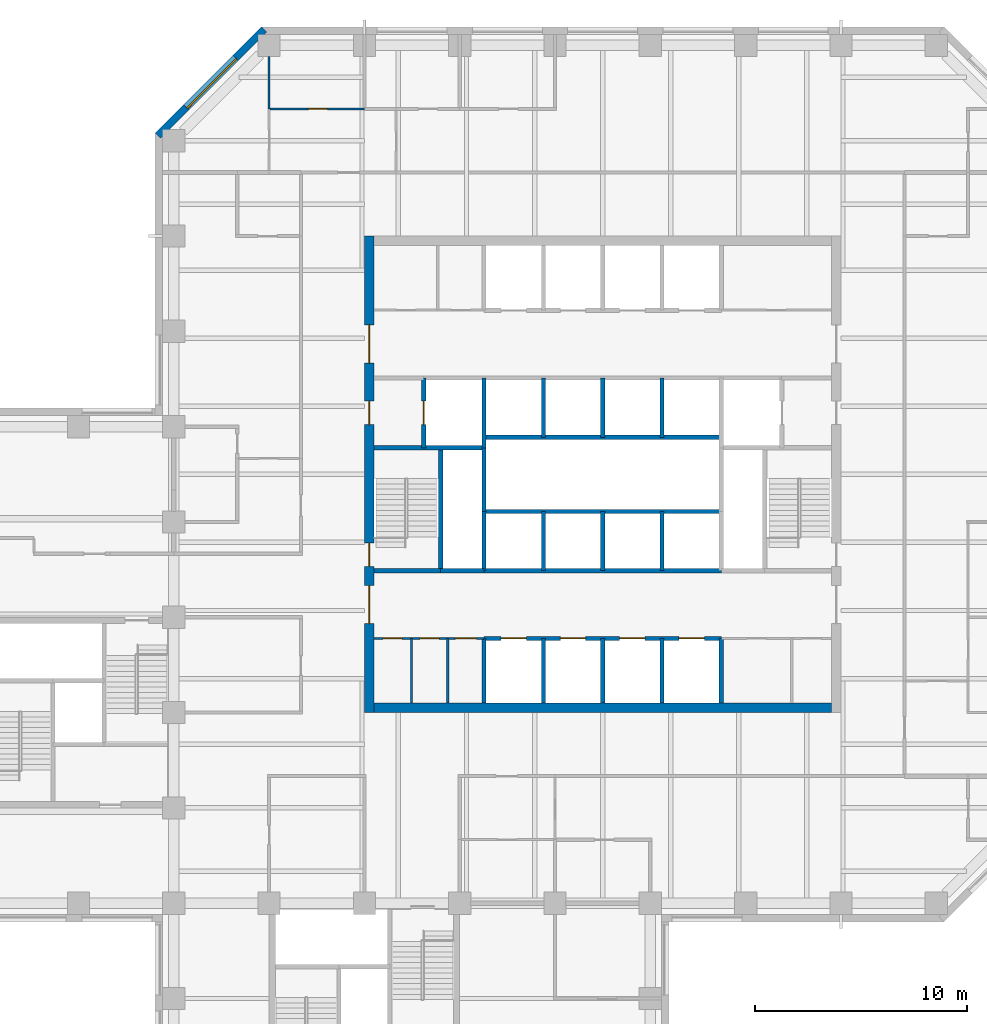
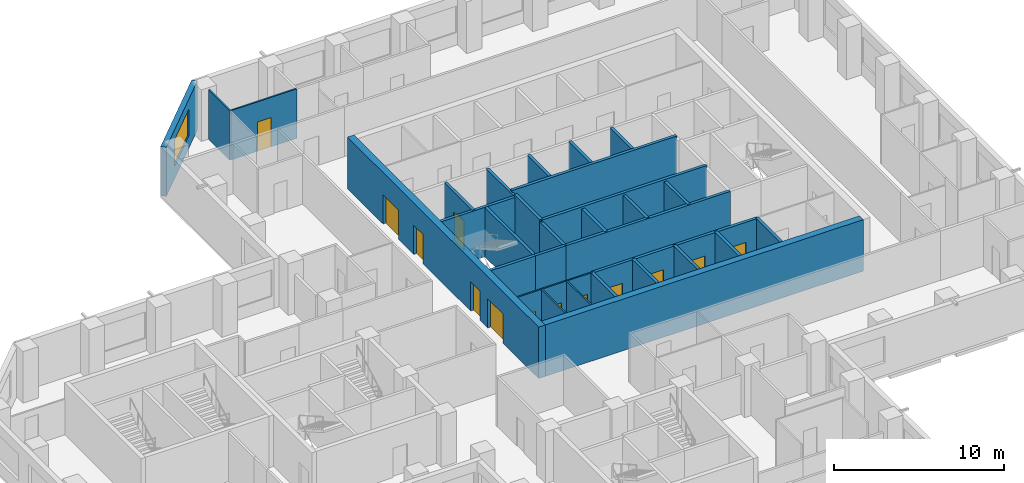
# One storey, part 7 of 11: 31 walls, 13 doors, 1 window, 14 openings.
"""IFC4 building model written with IfcOpenShell, lengths in metres."""

from ifc_helpers import new_model, si_unit, direction, frame, frame_2d, origin, place, context, subcontext, project, spatial, rectangle, extrude, material, layer, layer_set, constituent, constituent_set, type_object, element, fill, save


model = new_model("IFC4")

# Units and contexts
model_context = context("Model", 3, precision=1e-05, world=origin(), true_north=direction((0.0, 1.0)))
body_context = subcontext(model_context, "Body", "Model", "MODEL_VIEW")
ifc_project = project(units=[si_unit("LENGTHUNIT", "METRE"), si_unit("AREAUNIT", "SQUARE_METRE"), si_unit("VOLUMEUNIT", "CUBIC_METRE"), si_unit("PLANEANGLEUNIT", "RADIAN"), si_unit("MASSUNIT", "GRAM", prefix="KILO")], contexts=[model_context])

# Site, building, storey
site_placement = place(None, origin())
site = spatial("IfcSite", under=ifc_project, at=site_placement, CompositionType="ELEMENT")
building_placement = place(site_placement, origin())
building = spatial("IfcBuilding", under=site, at=building_placement, Name="Quoin Convention Tower", CompositionType="ELEMENT")
storey_placement = place(building_placement, frame((0.0, 0.0, 78.89990234375)))
storey = spatial("IfcBuildingStorey", under=building, at=storey_placement, Name="L20", CompositionType="ELEMENT", Elevation=78.89990234375)

# Wall, opening, window
ifc_material_1 = material(Name="Brick masonry", Category="masonry")
ifc_layer_1 = layer(ifc_material_1, 0.35009765625)
ifc_layer_set_1 = layer_set([ifc_layer_1], Name="Brick masonry")
wall_type_1 = type_object("IfcWallType", Name="Brick facade wall", PredefinedType="STANDARD", material=ifc_layer_set_1)
wall_1_placement = place(storey_placement, frame((40.26123046875, 81.751220703125, 0.0), z_axis=(0.0, 0.0, 1.0), x_axis=(-0.707106781187, -0.707106781187, 0.0)))
wall_1 = element("IfcWall", 1, at=wall_1_placement, inside=storey, type_object=wall_type_1, Name="fw-L20-40500_81000", PredefinedType="STANDARD", context=body_context, shape_type="SweptSolid", body=[
    extrude(rectangle(XDim=7.088623046875, YDim=0.35009765625, at=frame_2d((3.54443359375, 0.0))), origin(), (0.0, 0.0, 1.0), 3.525146484375),
])
opening_1_placement = place(wall_1_placement, frame((1.894287109375, 0.0, 0.89990234375)))
opening_1 = element("IfcOpeningElement", 2, at=opening_1_placement, cuts=wall_1, Name="Opening W-02", PredefinedType="OPENING", context=body_context, shape_type="SweptSolid", body=[
    extrude(rectangle(XDim=3.300048828125, YDim=1.89990234375, at=frame_2d((1.64990234375, 0.949951171875))), frame((0.0, 0.18505859375, 0.0), z_axis=(0.0, -1.0, 0.0), x_axis=(1.0, 0.0, 0.0)), (0.0, 0.0, 1.0), 0.3701171875),
])
ifc_material_2 = material(Name="Aluminium", Category="aluminium")
ifc_constituent_1 = constituent(ifc_material_2, Name="Frame")
ifc_material_3 = material(Name="Insulated glass", Category="glass")
ifc_constituent_2 = constituent(ifc_material_3, Name="Glazing")
ifc_constituent_set = constituent_set(constituents=[ifc_constituent_1, ifc_constituent_2], Name="Aluminium")
window_type = type_object("IfcWindowType", Name="Office window", PartitioningType="DOUBLE_PANEL_VERTICAL", PredefinedType="WINDOW", material=ifc_constituent_set)
window_placement = place(opening_1_placement, origin())
window = element("IfcWindow", 3, at=window_placement, inside=storey, type_object=window_type, Name="win-L20-37755_79245", OverallHeight=1.89990234375, OverallWidth=3.300048828125, PartitioningType="SINGLE_PANEL", PredefinedType="WINDOW", context=body_context, shape_type="SweptSolid", body=[
    extrude(rectangle(XDim=3.300048828125, YDim=1.89990234375, at=frame_2d((1.64990234375, 0.949951171875))), frame((0.0, 0.0849609375, 0.0), z_axis=(0.0, -1.0, 0.0), x_axis=(1.0, 0.0, 0.0)), (0.0, 0.0, 1.0), 0.06005859375),
])
fill(opening_1, window)

# Wall, openings, doors
ifc_material_4 = material(Name="Plasterboard")
ifc_layer_2 = layer(ifc_material_4, 0.012451171875, Name="Finish")
ifc_material_5 = material(Name="Steel stud framing", Category="steel")
ifc_layer_3 = layer(ifc_material_5, 0.074951171875, Name="Structure")
ifc_layer_4 = layer(ifc_material_4, 0.012451171875, Name="Finish")
ifc_layer_set_2 = layer_set([ifc_layer_2, ifc_layer_3, ifc_layer_4], Name="Steel stud framing")
wall_type_2 = type_object("IfcWallType", Name="Core partition wall", PredefinedType="PARTITIONING", material=ifc_layer_set_2)
wall_2_placement = place(storey_placement, frame((45.449951171875, 53.0, 0.0), z_axis=(0.0, 0.0, 1.0), x_axis=(1.0, 0.0, 0.0)))
wall_2 = element("IfcWall", 4, at=wall_2_placement, inside=storey, type_object=wall_type_2, Name="cr-C1-L20-h3500_450", PredefinedType="PARTITIONING", context=body_context, shape_type="SweptSolid", body=[
    extrude(rectangle(XDim=5.199951171875, YDim=0.10009765625, at=frame_2d((2.60009765625, 0.0))), origin(), (0.0, 0.0, 1.0), 3.550048828125),
])
opening_2_placement = place(wall_2_placement, frame((0.43408203125, 0.0, 0.0)))
opening_2 = element("IfcOpeningElement", 5, at=opening_2_placement, cuts=wall_2, Name="Opening DCV1-37", PredefinedType="OPENING", context=body_context, shape_type="SweptSolid", body=[
    extrude(rectangle(XDim=0.89990234375, YDim=2.10009765625, at=frame_2d((0.449951171875, 1.050048828125))), frame((0.0, 0.06005859375, 0.0), z_axis=(0.0, -1.0, 0.0), x_axis=(1.0, 0.0, 0.0)), (0.0, 0.0, 1.0), 0.1201171875),
])
opening_3_placement = place(wall_2_placement, frame((2.176025390625, 0.0, 0.0)))
opening_3 = element("IfcOpeningElement", 6, at=opening_3_placement, cuts=wall_2, Name="Opening DCV1-38", PredefinedType="OPENING", context=body_context, shape_type="SweptSolid", body=[
    extrude(rectangle(XDim=0.89990234375, YDim=2.10009765625, at=frame_2d((0.449951171875, 1.050048828125))), frame((0.0, 0.06005859375, 0.0), z_axis=(0.0, -1.0, 0.0), x_axis=(1.0, 0.0, 0.0)), (0.0, 0.0, 1.0), 0.1201171875),
])
opening_4_placement = place(wall_2_placement, frame((3.842041015625, 0.0, 0.0)))
opening_4 = element("IfcOpeningElement", 7, at=opening_4_placement, cuts=wall_2, Name="Opening DCV1-39", PredefinedType="OPENING", context=body_context, shape_type="SweptSolid", body=[
    extrude(rectangle(XDim=1.0, YDim=2.10009765625, at=frame_2d((0.5, 1.050048828125))), frame((0.0, 0.06005859375, 0.0), z_axis=(0.0, -1.0, 0.0), x_axis=(1.0, 0.0, 0.0)), (0.0, 0.0, 1.0), 0.1201171875),
])
ifc_material_6 = material(Name="Steel door leaf", Category="steel")
door_type_1 = type_object("IfcDoorType", Name="Core room door 1000 x 2100", OperationType="SINGLE_SWING_LEFT", PredefinedType="DOOR", material=ifc_material_6)
door_1_placement = place(opening_4_placement, frame((1.0, 0.0, 0.0), z_axis=(0.0, 0.0, 1.0), x_axis=(-1.0, 0.0, 0.0)))
door_1 = element("IfcDoor", 8, at=door_1_placement, inside=storey, type_object=door_type_1, Name="cd-C1-L20-CSW2-lobA-CD2014", OperationType="SINGLE_SWING_LEFT", OverallHeight=2.10009765625, OverallWidth=1.0, PredefinedType="DOOR", context=body_context, shape_type="SweptSolid", body=[
    extrude(rectangle(XDim=1.0, YDim=2.10009765625, at=frame_2d((0.5, 1.050048828125))), frame((0.0, 0.02490234375, 0.0), z_axis=(0.0, -1.0, 0.0), x_axis=(1.0, 0.0, 0.0)), (0.0, 0.0, 1.0), 0.050048828125),
])
fill(opening_4, door_1)
door_type_2 = type_object("IfcDoorType", Name="Core room door 900 x 2100", OperationType="SINGLE_SWING_LEFT", PredefinedType="DOOR", material=ifc_material_6)
door_2_placement = place(opening_2_placement, frame((0.89990234375, 0.0, 0.0), z_axis=(0.0, 0.0, 1.0), x_axis=(-1.0, 0.0, 0.0)))
door_2 = element("IfcDoor", 9, at=door_2_placement, inside=storey, type_object=door_type_2, Name="cd-C1-L20-CSW0-lobA-CD2012", OperationType="SINGLE_SWING_LEFT", OverallHeight=2.10009765625, OverallWidth=0.89990234375, PredefinedType="DOOR", context=body_context, shape_type="SweptSolid", body=[
    extrude(rectangle(XDim=0.89990234375, YDim=2.10009765625, at=frame_2d((0.449951171875, 1.050048828125))), frame((0.0, 0.02490234375, 0.0), z_axis=(0.0, -1.0, 0.0), x_axis=(1.0, 0.0, 0.0)), (0.0, 0.0, 1.0), 0.050048828125),
])
fill(opening_2, door_2)
door_3_placement = place(opening_3_placement, frame((0.89990234375, 0.0, 0.0), z_axis=(0.0, 0.0, 1.0), x_axis=(-1.0, 0.0, 0.0)))
door_3 = element("IfcDoor", 10, at=door_3_placement, inside=storey, type_object=door_type_2, Name="cd-C1-L20-CSW1-lobA-CD2013", OperationType="SINGLE_SWING_LEFT", OverallHeight=2.10009765625, OverallWidth=0.89990234375, PredefinedType="DOOR", context=body_context, shape_type="SweptSolid", body=[
    extrude(rectangle(XDim=0.89990234375, YDim=2.10009765625, at=frame_2d((0.449951171875, 1.050048828125))), frame((0.0, 0.02490234375, 0.0), z_axis=(0.0, -1.0, 0.0), x_axis=(1.0, 0.0, 0.0)), (0.0, 0.0, 1.0), 0.050048828125),
])
fill(opening_3, door_3)

# Walls
for number, where, z_axis, x_axis, name in (
    (11, (47.218017578125, 49.949951171875, 0.0), (0.0, 0.0, 1.0), (0.0, 1.0, 0.0), "cr-C1-L20-v2218_450"),
    (12, (48.93408203125, 49.949951171875, 0.0), (0.0, 0.0, 1.0), (0.0, 1.0, 0.0), "cr-C1-L20-v3934_450"),
):
    element("IfcWall", number, at=place(storey_placement, frame(where, z_axis=z_axis, x_axis=x_axis)), inside=storey, type_object=wall_type_2, Name=name, PredefinedType="PARTITIONING", context=body_context, shape_type="SweptSolid", body=[
        extrude(rectangle(XDim=3.050048828125, YDim=0.10009765625, at=frame_2d((1.52490234375, 0.0))), origin(), (0.0, 0.0, 1.0), 3.550048828125),
    ])

# Wall, openings, doors
ifc_material_7 = material(Name="Concrete C50", Category="concrete")
ifc_layer_5 = layer(ifc_material_7, 0.199951171875)
ifc_layer_set_3 = layer_set([ifc_layer_5], Name="Concrete C50")
wall_type_3 = type_object("IfcWallType", Name="Core shaft wall", PredefinedType="SOLIDWALL", material=ifc_layer_set_3)
wall_3_placement = place(storey_placement, frame((50.64990234375, 53.0, 0.0), z_axis=(0.0, 0.0, 1.0), x_axis=(1.0, 0.0, 0.0)))
wall_3 = element("IfcWall", 13, at=wall_3_placement, inside=storey, type_object=wall_type_3, Name="cr-C1-L20-h3500_5650", PredefinedType="SOLIDWALL", context=body_context, shape_type="SweptSolid", body=[
    extrude(rectangle(XDim=11.2001953125, YDim=0.199951171875, at=frame_2d((5.60009765625, 0.0))), origin(), (0.0, 0.0, 1.0), 3.550048828125),
])
opening_5_placement = place(wall_3_placement, frame((0.800048828125, 0.0, 0.0)))
opening_5 = element("IfcOpeningElement", 14, at=opening_5_placement, cuts=wall_3, Name="Opening LDL1", PredefinedType="OPENING", context=body_context, shape_type="SweptSolid", body=[
    extrude(rectangle(XDim=1.199951171875, YDim=2.10009765625, at=frame_2d((0.60009765625, 1.050048828125))), frame((0.0, 0.10986328125, 0.0), z_axis=(0.0, -1.0, 0.0), x_axis=(1.0, 0.0, 0.0)), (0.0, 0.0, 1.0), 0.219970703125),
])
opening_6_placement = place(wall_3_placement, frame((3.60009765625, 0.0, 0.0)))
opening_6 = element("IfcOpeningElement", 15, at=opening_6_placement, cuts=wall_3, Name="Opening LDL2", PredefinedType="OPENING", context=body_context, shape_type="SweptSolid", body=[
    extrude(rectangle(XDim=1.199951171875, YDim=2.10009765625, at=frame_2d((0.60009765625, 1.050048828125))), frame((0.0, 0.10986328125, 0.0), z_axis=(0.0, -1.0, 0.0), x_axis=(1.0, 0.0, 0.0)), (0.0, 0.0, 1.0), 0.219970703125),
])
opening_7_placement = place(wall_3_placement, frame((6.39990234375, 0.0, 0.0)))
opening_7 = element("IfcOpeningElement", 16, at=opening_7_placement, cuts=wall_3, Name="Opening LDL3", PredefinedType="OPENING", context=body_context, shape_type="SweptSolid", body=[
    extrude(rectangle(XDim=1.199951171875, YDim=2.10009765625, at=frame_2d((0.60009765625, 1.050048828125))), frame((0.0, 0.10986328125, 0.0), z_axis=(0.0, -1.0, 0.0), x_axis=(1.0, 0.0, 0.0)), (0.0, 0.0, 1.0), 0.219970703125),
])
opening_8_placement = place(wall_3_placement, frame((9.199951171875, 0.0, 0.0)))
opening_8 = element("IfcOpeningElement", 17, at=opening_8_placement, cuts=wall_3, Name="Opening LDL4", PredefinedType="OPENING", context=body_context, shape_type="SweptSolid", body=[
    extrude(rectangle(XDim=1.199951171875, YDim=2.10009765625, at=frame_2d((0.60009765625, 1.050048828125))), frame((0.0, 0.10986328125, 0.0), z_axis=(0.0, -1.0, 0.0), x_axis=(1.0, 0.0, 0.0)), (0.0, 0.0, 1.0), 0.219970703125),
])
door_type_3 = type_object("IfcDoorType", Name="Lift landing door 1200 x 2100", OperationType="DOUBLE_DOOR_SLIDING", PredefinedType="DOOR", material=ifc_material_6)
door_4_placement = place(opening_5_placement, origin())
door_4 = element("IfcDoor", 18, at=door_4_placement, inside=storey, type_object=door_type_3, Name="cd-C1-L20-R10-lobA-LDL1", OperationType="DOUBLE_DOOR_SLIDING", OverallHeight=2.10009765625, OverallWidth=1.199951171875, PredefinedType="DOOR", context=body_context, shape_type="SweptSolid", body=[
    extrude(rectangle(XDim=1.199951171875, YDim=2.10009765625, at=frame_2d((0.60009765625, 1.050048828125))), frame((0.0, 0.02490234375, 0.0), z_axis=(0.0, -1.0, 0.0), x_axis=(1.0, 0.0, 0.0)), (0.0, 0.0, 1.0), 0.050048828125),
])
fill(opening_5, door_4)
door_5_placement = place(opening_6_placement, origin())
door_5 = element("IfcDoor", 19, at=door_5_placement, inside=storey, type_object=door_type_3, Name="cd-C1-L20-R11-lobA-LDL2", OperationType="DOUBLE_DOOR_SLIDING", OverallHeight=2.10009765625, OverallWidth=1.199951171875, PredefinedType="DOOR", context=body_context, shape_type="SweptSolid", body=[
    extrude(rectangle(XDim=1.199951171875, YDim=2.10009765625, at=frame_2d((0.60009765625, 1.050048828125))), frame((0.0, 0.02490234375, 0.0), z_axis=(0.0, -1.0, 0.0), x_axis=(1.0, 0.0, 0.0)), (0.0, 0.0, 1.0), 0.050048828125),
])
fill(opening_6, door_5)
door_6_placement = place(opening_7_placement, origin())
door_6 = element("IfcDoor", 20, at=door_6_placement, inside=storey, type_object=door_type_3, Name="cd-C1-L20-R12-lobA-LDL3", OperationType="DOUBLE_DOOR_SLIDING", OverallHeight=2.10009765625, OverallWidth=1.199951171875, PredefinedType="DOOR", context=body_context, shape_type="SweptSolid", body=[
    extrude(rectangle(XDim=1.199951171875, YDim=2.10009765625, at=frame_2d((0.60009765625, 1.050048828125))), frame((0.0, 0.02490234375, 0.0), z_axis=(0.0, -1.0, 0.0), x_axis=(1.0, 0.0, 0.0)), (0.0, 0.0, 1.0), 0.050048828125),
])
fill(opening_7, door_6)
door_7_placement = place(opening_8_placement, origin())
door_7 = element("IfcDoor", 21, at=door_7_placement, inside=storey, type_object=door_type_3, Name="cd-C1-L20-R13-lobA-LDL4", OperationType="DOUBLE_DOOR_SLIDING", OverallHeight=2.10009765625, OverallWidth=1.199951171875, PredefinedType="DOOR", context=body_context, shape_type="SweptSolid", body=[
    extrude(rectangle(XDim=1.199951171875, YDim=2.10009765625, at=frame_2d((0.60009765625, 1.050048828125))), frame((0.0, 0.02490234375, 0.0), z_axis=(0.0, -1.0, 0.0), x_axis=(1.0, 0.0, 0.0)), (0.0, 0.0, 1.0), 0.050048828125),
])
fill(opening_8, door_7)

# Walls
wall_4_placement = place(storey_placement, frame((48.60009765625, 56.199951171875, 0.0), z_axis=(0.0, 0.0, 1.0), x_axis=(1.0, 0.0, 0.0)))
element("IfcWall", 22, at=wall_4_placement, inside=storey, type_object=wall_type_3, Name="cr-C1-L20-h6700_3600", PredefinedType="SOLIDWALL", context=body_context, shape_type="SweptSolid", body=[
    extrude(rectangle(XDim=2.0498046875, YDim=0.199951171875, at=frame_2d((1.02490234375, 0.0))), origin(), (0.0, 0.0, 1.0), 3.550048828125),
])
wall_5_placement = place(storey_placement, frame((45.449951171875, 56.199951171875, 0.0), z_axis=(0.0, 0.0, 1.0), x_axis=(1.0, 0.0, 0.0)))
element("IfcWall", 23, at=wall_5_placement, inside=storey, type_object=wall_type_3, Name="cr-C1-L20-h6700_450", PredefinedType="SOLIDWALL", context=body_context, shape_type="SweptSolid", body=[
    extrude(rectangle(XDim=3.150146484375, YDim=0.199951171875, at=frame_2d((1.5751953125, 0.0))), origin(), (0.0, 0.0, 1.0), 3.550048828125),
])
wall_6_placement = place(storey_placement, frame((50.64990234375, 56.199951171875, 0.0), z_axis=(0.0, 0.0, 1.0), x_axis=(1.0, 0.0, 0.0)))
element("IfcWall", 24, at=wall_6_placement, inside=storey, type_object=wall_type_3, Name="cr-C1-L20-h6700_5650", PredefinedType="SOLIDWALL", context=body_context, shape_type="SweptSolid", body=[
    extrude(rectangle(XDim=11.2001953125, YDim=0.199951171875, at=frame_2d((5.60009765625, 0.0))), origin(), (0.0, 0.0, 1.0), 3.550048828125),
])
wall_7_placement = place(storey_placement, frame((45.449951171875, 62.0, 0.0), z_axis=(0.0, 0.0, 1.0), x_axis=(1.0, 0.0, 0.0)))
element("IfcWall", 25, at=wall_7_placement, inside=storey, type_object=wall_type_3, Name="cr-C1-L20-h12500_450", PredefinedType="SOLIDWALL", context=body_context, shape_type="SweptSolid", body=[
    extrude(rectangle(XDim=5.199951171875, YDim=0.199951171875, at=frame_2d((2.60009765625, 0.0))), origin(), (0.0, 0.0, 1.0), 3.550048828125),
])

# Wall, opening, door
wall_8_placement = place(storey_placement, frame((47.800048828125, 62.0, 0.0), z_axis=(0.0, 0.0, 1.0), x_axis=(0.0, 1.0, 0.0)))
wall_8 = element("IfcWall", 26, at=wall_8_placement, inside=storey, type_object=wall_type_3, Name="cr-C1-L20-v2800_12500", PredefinedType="SOLIDWALL", context=body_context, shape_type="SweptSolid", body=[
    extrude(rectangle(XDim=3.300048828125, YDim=0.199951171875, at=frame_2d((1.64990234375, 0.0))), origin(), (0.0, 0.0, 1.0), 3.550048828125),
])
opening_9_placement = place(wall_8_placement, frame((1.10009765625, 0.0, 0.0)))
opening_9 = element("IfcOpeningElement", 27, at=opening_9_placement, cuts=wall_8, Name="Opening LDFL1", PredefinedType="OPENING", context=body_context, shape_type="SweptSolid", body=[
    extrude(rectangle(XDim=1.10009765625, YDim=2.10009765625, at=frame_2d((0.550048828125, 1.050048828125))), frame((0.0, 0.10986328125, 0.0), z_axis=(0.0, -1.0, 0.0), x_axis=(1.0, 0.0, 0.0)), (0.0, 0.0, 1.0), 0.219970703125),
])
door_type_4 = type_object("IfcDoorType", Name="Lift landing door 1100 x 2100", OperationType="DOUBLE_DOOR_SLIDING", PredefinedType="DOOR", material=ifc_material_6)
door_8_placement = place(opening_9_placement, origin())
door_8 = element("IfcDoor", 28, at=door_8_placement, inside=storey, type_object=door_type_4, Name="cd-C1-L20-FLW-FFW-LDFL1", OperationType="DOUBLE_DOOR_SLIDING", OverallHeight=2.10009765625, OverallWidth=1.10009765625, PredefinedType="DOOR", context=body_context, shape_type="SweptSolid", body=[
    extrude(rectangle(XDim=1.10009765625, YDim=2.10009765625, at=frame_2d((0.550048828125, 1.050048828125))), frame((0.0, 0.02490234375, 0.0), z_axis=(0.0, -1.0, 0.0), x_axis=(1.0, 0.0, 0.0)), (0.0, 0.0, 1.0), 0.050048828125),
])
fill(opening_9, door_8)

# Walls
wall_9_placement = place(storey_placement, frame((48.60009765625, 56.199951171875, 0.0), z_axis=(0.0, 0.0, 1.0), x_axis=(0.0, 1.0, 0.0)))
element("IfcWall", 29, at=wall_9_placement, inside=storey, type_object=wall_type_3, Name="cr-C1-L20-v3600_6700", PredefinedType="SOLIDWALL", context=body_context, shape_type="SweptSolid", body=[
    extrude(rectangle(XDim=5.800048828125, YDim=0.199951171875, at=frame_2d((2.89990234375, 0.0))), origin(), (0.0, 0.0, 1.0), 3.550048828125),
])
wall_10_placement = place(storey_placement, frame((50.64990234375, 49.949951171875, 0.0), z_axis=(0.0, 0.0, 1.0), x_axis=(0.0, 1.0, 0.0)))
element("IfcWall", 30, at=wall_10_placement, inside=storey, type_object=wall_type_3, Name="cr-C1-L20-v5650_450", PredefinedType="SOLIDWALL", context=body_context, shape_type="SweptSolid", body=[
    extrude(rectangle(XDim=3.050048828125, YDim=0.199951171875, at=frame_2d((1.52490234375, 0.0))), origin(), (0.0, 0.0, 1.0), 3.550048828125),
])
wall_11_placement = place(storey_placement, frame((50.64990234375, 56.199951171875, 0.0), z_axis=(0.0, 0.0, 1.0), x_axis=(0.0, 1.0, 0.0)))
element("IfcWall", 31, at=wall_11_placement, inside=storey, type_object=wall_type_3, Name="cr-C1-L20-v5650_6700", PredefinedType="SOLIDWALL", context=body_context, shape_type="SweptSolid", body=[
    extrude(rectangle(XDim=2.800048828125, YDim=0.199951171875, at=frame_2d((1.39990234375, 0.0))), origin(), (0.0, 0.0, 1.0), 3.550048828125),
])
wall_12_placement = place(storey_placement, frame((50.64990234375, 62.0, 0.0), z_axis=(0.0, 0.0, 1.0), x_axis=(0.0, 1.0, 0.0)))
element("IfcWall", 32, at=wall_12_placement, inside=storey, type_object=wall_type_3, Name="cr-C1-L20-v5650_12500", PredefinedType="SOLIDWALL", context=body_context, shape_type="SweptSolid", body=[
    extrude(rectangle(XDim=3.300048828125, YDim=0.199951171875, at=frame_2d((1.64990234375, 0.0))), origin(), (0.0, 0.0, 1.0), 3.550048828125),
])
wall_13_placement = place(storey_placement, frame((53.449951171875, 49.949951171875, 0.0), z_axis=(0.0, 0.0, 1.0), x_axis=(0.0, 1.0, 0.0)))
element("IfcWall", 33, at=wall_13_placement, inside=storey, type_object=wall_type_3, Name="cr-C1-L20-v8450_450", PredefinedType="SOLIDWALL", context=body_context, shape_type="SweptSolid", body=[
    extrude(rectangle(XDim=3.050048828125, YDim=0.199951171875, at=frame_2d((1.52490234375, 0.0))), origin(), (0.0, 0.0, 1.0), 3.550048828125),
])
for number, where, z_axis, x_axis, name in (
    (34, (53.449951171875, 56.199951171875, 0.0), (0.0, 0.0, 1.0), (0.0, 1.0, 0.0), "cr-C1-L20-v8450_6700"),
    (35, (53.449951171875, 62.5, 0.0), (0.0, 0.0, 1.0), (0.0, 1.0, 0.0), "cr-C1-L20-v8450_13000"),
):
    element("IfcWall", number, at=place(storey_placement, frame(where, z_axis=z_axis, x_axis=x_axis)), inside=storey, type_object=wall_type_3, Name=name, PredefinedType="SOLIDWALL", context=body_context, shape_type="SweptSolid", body=[
        extrude(rectangle(XDim=2.800048828125, YDim=0.199951171875, at=frame_2d((1.39990234375, 0.0))), origin(), (0.0, 0.0, 1.0), 3.550048828125),
    ])
wall_14_placement = place(storey_placement, frame((56.25, 49.949951171875, 0.0), z_axis=(0.0, 0.0, 1.0), x_axis=(0.0, 1.0, 0.0)))
element("IfcWall", 36, at=wall_14_placement, inside=storey, type_object=wall_type_3, Name="cr-C1-L20-v11250_450", PredefinedType="SOLIDWALL", context=body_context, shape_type="SweptSolid", body=[
    extrude(rectangle(XDim=3.050048828125, YDim=0.199951171875, at=frame_2d((1.52490234375, 0.0))), origin(), (0.0, 0.0, 1.0), 3.550048828125),
])
for number, where, z_axis, x_axis, name in (
    (37, (56.25, 56.199951171875, 0.0), (0.0, 0.0, 1.0), (0.0, 1.0, 0.0), "cr-C1-L20-v11250_6700"),
    (38, (56.25, 62.5, 0.0), (0.0, 0.0, 1.0), (0.0, 1.0, 0.0), "cr-C1-L20-v11250_13000"),
):
    element("IfcWall", number, at=place(storey_placement, frame(where, z_axis=z_axis, x_axis=x_axis)), inside=storey, type_object=wall_type_3, Name=name, PredefinedType="SOLIDWALL", context=body_context, shape_type="SweptSolid", body=[
        extrude(rectangle(XDim=2.800048828125, YDim=0.199951171875, at=frame_2d((1.39990234375, 0.0))), origin(), (0.0, 0.0, 1.0), 3.550048828125),
    ])
wall_15_placement = place(storey_placement, frame((59.050048828125, 49.949951171875, 0.0), z_axis=(0.0, 0.0, 1.0), x_axis=(0.0, 1.0, 0.0)))
element("IfcWall", 39, at=wall_15_placement, inside=storey, type_object=wall_type_3, Name="cr-C1-L20-v14050_450", PredefinedType="SOLIDWALL", context=body_context, shape_type="SweptSolid", body=[
    extrude(rectangle(XDim=3.050048828125, YDim=0.199951171875, at=frame_2d((1.52490234375, 0.0))), origin(), (0.0, 0.0, 1.0), 3.550048828125),
])
for number, where, z_axis, x_axis, name in (
    (40, (59.050048828125, 56.199951171875, 0.0), (0.0, 0.0, 1.0), (0.0, 1.0, 0.0), "cr-C1-L20-v14050_6700"),
    (41, (59.050048828125, 62.5, 0.0), (0.0, 0.0, 1.0), (0.0, 1.0, 0.0), "cr-C1-L20-v14050_13000"),
):
    element("IfcWall", number, at=place(storey_placement, frame(where, z_axis=z_axis, x_axis=x_axis)), inside=storey, type_object=wall_type_3, Name=name, PredefinedType="SOLIDWALL", context=body_context, shape_type="SweptSolid", body=[
        extrude(rectangle(XDim=2.800048828125, YDim=0.199951171875, at=frame_2d((1.39990234375, 0.0))), origin(), (0.0, 0.0, 1.0), 3.550048828125),
    ])
wall_16_placement = place(storey_placement, frame((61.85009765625, 49.949951171875, 0.0), z_axis=(0.0, 0.0, 1.0), x_axis=(0.0, 1.0, 0.0)))
element("IfcWall", 42, at=wall_16_placement, inside=storey, type_object=wall_type_3, Name="cr-C1-L20-v16850_450", PredefinedType="SOLIDWALL", context=body_context, shape_type="SweptSolid", body=[
    extrude(rectangle(XDim=3.050048828125, YDim=0.199951171875, at=frame_2d((1.52490234375, 0.0))), origin(), (0.0, 0.0, 1.0), 3.550048828125),
])
ifc_layer_6 = layer(ifc_material_7, 0.199951171875)
ifc_layer_set_4 = layer_set([ifc_layer_6], Name="Concrete C50")
wall_type_4 = type_object("IfcWallType", Name="Core shaft wall to the floor level over", PredefinedType="SOLIDWALL", material=ifc_layer_set_4)
for number, where, z_axis, x_axis, name in (
    (43, (50.64990234375, 59.0, 0.0), (0.0, 0.0, 1.0), (1.0, 0.0, 0.0), "cr-C1-L20-h9500_5650"),
    (44, (50.64990234375, 62.5, 0.0), (0.0, 0.0, 1.0), (1.0, 0.0, 0.0), "cr-C1-L20-h13000_5650"),
):
    element("IfcWall", number, at=place(storey_placement, frame(where, z_axis=z_axis, x_axis=x_axis)), inside=storey, type_object=wall_type_4, Name=name, PredefinedType="SOLIDWALL", context=body_context, shape_type="SweptSolid", body=[
        extrude(rectangle(XDim=11.2001953125, YDim=0.199951171875, at=frame_2d((5.60009765625, 0.0))), origin(), (0.0, 0.0, 1.0), 3.7001953125),
    ])
wall_17_placement = place(storey_placement, frame((50.64990234375, 59.0, 0.0), z_axis=(0.0, 0.0, 1.0), x_axis=(0.0, 1.0, 0.0)))
element("IfcWall", 45, at=wall_17_placement, inside=storey, type_object=wall_type_4, Name="cr-C1-L20-v5650_9500", PredefinedType="SOLIDWALL", context=body_context, shape_type="SweptSolid", body=[
    extrude(rectangle(XDim=3.0, YDim=0.199951171875, at=frame_2d((1.5, 0.0))), origin(), (0.0, 0.0, 1.0), 3.7001953125),
])
ifc_material_8 = material(Name="Concrete C65", Category="concrete")
ifc_layer_7 = layer(ifc_material_8, 0.449951171875)
ifc_layer_set_5 = layer_set([ifc_layer_7], Name="Concrete C65")
wall_type_5 = type_object("IfcWallType", Name="RC CORE WALL 450 C65", PredefinedType="SHEAR", material=ifc_layer_set_5)
wall_18_placement = place(storey_placement, frame((45.449951171875, 49.72509765625, 0.0), z_axis=(0.0, 0.0, 1.0), x_axis=(1.0, 0.0, 0.0)))
element("IfcWall", 46, at=wall_18_placement, inside=storey, type_object=wall_type_5, Name="cwl-C1-L20-S", PredefinedType="SHEAR", context=body_context, shape_type="SweptSolid", body=[
    extrude(rectangle(XDim=21.60009765625, YDim=0.449951171875, at=frame_2d((10.800048828125, 0.0))), origin(), (0.0, 0.0, 1.0), 3.7001953125),
])

# Wall, openings, doors
wall_19_placement = place(storey_placement, frame((45.22509765625, 49.5, 0.0), z_axis=(0.0, 0.0, 1.0), x_axis=(0.0, 1.0, 0.0)))
wall_19 = element("IfcWall", 47, at=wall_19_placement, inside=storey, type_object=wall_type_5, Name="cwl-C1-L20-W", PredefinedType="SHEAR", context=body_context, shape_type="SweptSolid", body=[
    extrude(rectangle(XDim=22.5, YDim=0.449951171875, at=frame_2d((11.25, 0.0))), origin(), (0.0, 0.0, 1.0), 3.7001953125),
])
opening_10_placement = place(wall_19_placement, frame((4.199951171875, 0.0, 0.0)))
opening_10 = element("IfcOpeningElement", 48, at=opening_10_placement, cuts=wall_19, Name="Opening DCV1-49", PredefinedType="OPENING", context=body_context, shape_type="SweptSolid", body=[
    extrude(rectangle(XDim=1.800048828125, YDim=2.10009765625, at=frame_2d((0.89990234375, 1.050048828125))), frame((0.0, 0.23486328125, 0.0), z_axis=(0.0, -1.0, 0.0), x_axis=(1.0, 0.0, 0.0)), (0.0, 0.0, 1.0), 0.469970703125),
])
opening_11_placement = place(wall_19_placement, frame((6.89990234375, 0.0, 0.0)))
opening_11 = element("IfcOpeningElement", 49, at=opening_11_placement, cuts=wall_19, Name="Opening SD1", PredefinedType="OPENING", context=body_context, shape_type="SweptSolid", body=[
    extrude(rectangle(XDim=1.10009765625, YDim=2.10009765625, at=frame_2d((0.550048828125, 1.050048828125))), frame((0.0, 0.23486328125, 0.0), z_axis=(0.0, -1.0, 0.0), x_axis=(1.0, 0.0, 0.0)), (0.0, 0.0, 1.0), 0.469970703125),
])
opening_12_placement = place(wall_19_placement, frame((13.60009765625, 0.0, 0.0)))
opening_12 = element("IfcOpeningElement", 50, at=opening_12_placement, cuts=wall_19, Name="Opening DCV1-48", PredefinedType="OPENING", context=body_context, shape_type="SweptSolid", body=[
    extrude(rectangle(XDim=1.10009765625, YDim=2.10009765625, at=frame_2d((0.550048828125, 1.050048828125))), frame((0.0, 0.23486328125, 0.0), z_axis=(0.0, -1.0, 0.0), x_axis=(1.0, 0.0, 0.0)), (0.0, 0.0, 1.0), 0.469970703125),
])
opening_13_placement = place(wall_19_placement, frame((16.5, 0.0, 0.0)))
opening_13 = element("IfcOpeningElement", 51, at=opening_13_placement, cuts=wall_19, Name="Opening DCV1-49", PredefinedType="OPENING", context=body_context, shape_type="SweptSolid", body=[
    extrude(rectangle(XDim=1.800048828125, YDim=2.10009765625, at=frame_2d((0.89990234375, 1.050048828125))), frame((0.0, 0.23486328125, 0.0), z_axis=(0.0, -1.0, 0.0), x_axis=(1.0, 0.0, 0.0)), (0.0, 0.0, 1.0), 0.469970703125),
])
door_type_5 = type_object("IfcDoorType", Name="Fire-fighting lobby door 1100 x 2100", OperationType="SINGLE_SWING_LEFT", PredefinedType="DOOR", material=ifc_material_6)
door_9_placement = place(opening_12_placement, frame((1.10009765625, 0.0, 0.0), z_axis=(0.0, 0.0, 1.0), x_axis=(-1.0, 0.0, 0.0)))
door_9 = element("IfcDoor", 52, at=door_9_placement, inside=storey, type_object=door_type_5, Name="cd-C1-L20-FFW-W", OperationType="SINGLE_SWING_LEFT", OverallHeight=2.10009765625, OverallWidth=1.10009765625, PredefinedType="DOOR", context=body_context, shape_type="SweptSolid", body=[
    extrude(rectangle(XDim=1.10009765625, YDim=2.10009765625, at=frame_2d((0.550048828125, 1.050048828125))), frame((0.0, 0.02490234375, 0.0), z_axis=(0.0, -1.0, 0.0), x_axis=(1.0, 0.0, 0.0)), (0.0, 0.0, 1.0), 0.050048828125),
])
fill(opening_12, door_9)
door_type_6 = type_object("IfcDoorType", Name="Lift lobby door 1800 x 2100", OperationType="SINGLE_SWING_LEFT", PredefinedType="DOOR", material=ifc_material_6)
door_10_placement = place(opening_10_placement, frame((1.800048828125, 0.0, 0.0), z_axis=(0.0, 0.0, 1.0), x_axis=(-1.0, 0.0, 0.0)))
door_10 = element("IfcDoor", 53, at=door_10_placement, inside=storey, type_object=door_type_6, Name="cd-C1-L20-lobA-W", OperationType="SINGLE_SWING_LEFT", OverallHeight=2.10009765625, OverallWidth=1.800048828125, PredefinedType="DOOR", context=body_context, shape_type="SweptSolid", body=[
    extrude(rectangle(XDim=1.800048828125, YDim=2.10009765625, at=frame_2d((0.89990234375, 1.050048828125))), frame((0.0, 0.02490234375, 0.0), z_axis=(0.0, -1.0, 0.0), x_axis=(1.0, 0.0, 0.0)), (0.0, 0.0, 1.0), 0.050048828125),
])
fill(opening_10, door_10)
door_11_placement = place(opening_13_placement, frame((1.800048828125, 0.0, 0.0), z_axis=(0.0, 0.0, 1.0), x_axis=(-1.0, 0.0, 0.0)))
door_11 = element("IfcDoor", 54, at=door_11_placement, inside=storey, type_object=door_type_6, Name="cd-C1-L20-lobB-W", OperationType="SINGLE_SWING_LEFT", OverallHeight=2.10009765625, OverallWidth=1.800048828125, PredefinedType="DOOR", context=body_context, shape_type="SweptSolid", body=[
    extrude(rectangle(XDim=1.800048828125, YDim=2.10009765625, at=frame_2d((0.89990234375, 1.050048828125))), frame((0.0, 0.02490234375, 0.0), z_axis=(0.0, -1.0, 0.0), x_axis=(1.0, 0.0, 0.0)), (0.0, 0.0, 1.0), 0.050048828125),
])
fill(opening_13, door_11)
door_type_7 = type_object("IfcDoorType", Name="Stair door 1100 x 2100", OperationType="SINGLE_SWING_RIGHT", PredefinedType="DOOR", material=ifc_material_6)
door_12_placement = place(opening_11_placement, frame((1.10009765625, 0.0, 0.0), z_axis=(0.0, 0.0, 1.0), x_axis=(-1.0, 0.0, 0.0)))
door_12 = element("IfcDoor", 55, at=door_12_placement, inside=storey, type_object=door_type_7, Name="cd-C1-L20-STW-W", OperationType="SINGLE_SWING_RIGHT", OverallHeight=2.10009765625, OverallWidth=1.10009765625, PredefinedType="DOOR", context=body_context, shape_type="SweptSolid", body=[
    extrude(rectangle(XDim=1.10009765625, YDim=2.10009765625, at=frame_2d((0.550048828125, 1.050048828125))), frame((0.0, 0.02490234375, 0.0), z_axis=(0.0, -1.0, 0.0), x_axis=(1.0, 0.0, 0.0)), (0.0, 0.0, 1.0), 0.050048828125),
])
fill(opening_11, door_12)

# Wall, opening, door
ifc_layer_8 = layer(ifc_material_4, 0.012451171875, Name="Finish")
ifc_layer_9 = layer(ifc_material_5, 0.074951171875, Name="Structure")
ifc_layer_10 = layer(ifc_material_4, 0.012451171875, Name="Finish")
ifc_layer_set_6 = layer_set([ifc_layer_8, ifc_layer_9, ifc_layer_10], Name="Steel stud framing")
wall_type_6 = type_object("IfcWallType", Name="Stud partition 100", PredefinedType="PARTITIONING", material=ifc_layer_set_6)
wall_20_placement = place(storey_placement, frame((40.550048828125, 78.0, 0.0), z_axis=(0.0, 0.0, 1.0), x_axis=(1.0, 0.0, 0.0)))
wall_20 = element("IfcWall", 56, at=wall_20_placement, inside=storey, type_object=wall_type_6, Name="pw-L20-058", PredefinedType="PARTITIONING", context=body_context, shape_type="SweptSolid", body=[
    extrude(rectangle(XDim=4.449951171875, YDim=0.10009765625, at=frame_2d((2.22509765625, 0.0))), origin(), (0.0, 0.0, 1.0), 3.550048828125),
])
opening_14_placement = place(wall_20_placement, frame((1.800048828125, 0.0, 0.0)))
opening_14 = element("IfcOpeningElement", 57, at=opening_14_placement, cuts=wall_20, Name="Opening DOL1-19", PredefinedType="OPENING", context=body_context, shape_type="SweptSolid", body=[
    extrude(rectangle(XDim=0.89990234375, YDim=2.10009765625, at=frame_2d((0.449951171875, 1.050048828125))), frame((0.0, 0.06005859375, 0.0), z_axis=(0.0, -1.0, 0.0), x_axis=(1.0, 0.0, 0.0)), (0.0, 0.0, 1.0), 0.1201171875),
])
door_type_8 = type_object("IfcDoorType", Name="Office door 900 x 2100", OperationType="SINGLE_SWING_RIGHT", PredefinedType="DOOR", material=ifc_material_6)
door_13_placement = place(opening_14_placement, frame((0.89990234375, 0.0, 0.0), z_axis=(0.0, 0.0, 1.0), x_axis=(-1.0, 0.0, 0.0)))
door_13 = element("IfcDoor", 58, at=door_13_placement, inside=storey, type_object=door_type_8, Name="dr-L20-36", OperationType="SINGLE_SWING_LEFT", OverallHeight=2.10009765625, OverallWidth=0.89990234375, PredefinedType="DOOR", context=body_context, shape_type="SweptSolid", body=[
    extrude(rectangle(XDim=0.89990234375, YDim=2.10009765625, at=frame_2d((0.449951171875, 1.050048828125))), frame((0.0, 0.02490234375, 0.0), z_axis=(0.0, -1.0, 0.0), x_axis=(1.0, 0.0, 0.0)), (0.0, 0.0, 1.0), 0.050048828125),
])
fill(opening_14, door_13)

# Wall
wall_21_placement = place(storey_placement, frame((40.5, 78.0, 0.0), z_axis=(0.0, 0.0, 1.0), x_axis=(0.0, 1.0, 0.0)))
element("IfcWall", 59, at=wall_21_placement, inside=storey, type_object=wall_type_6, Name="pw-L20-116", PredefinedType="PARTITIONING", context=body_context, shape_type="SweptSolid", body=[
    extrude(rectangle(XDim=2.47509765625, YDim=0.10009765625, at=frame_2d((1.237548828125, 0.0))), origin(), (0.0, 0.0, 1.0), 3.550048828125),
])

save(model, "model.ifc")
